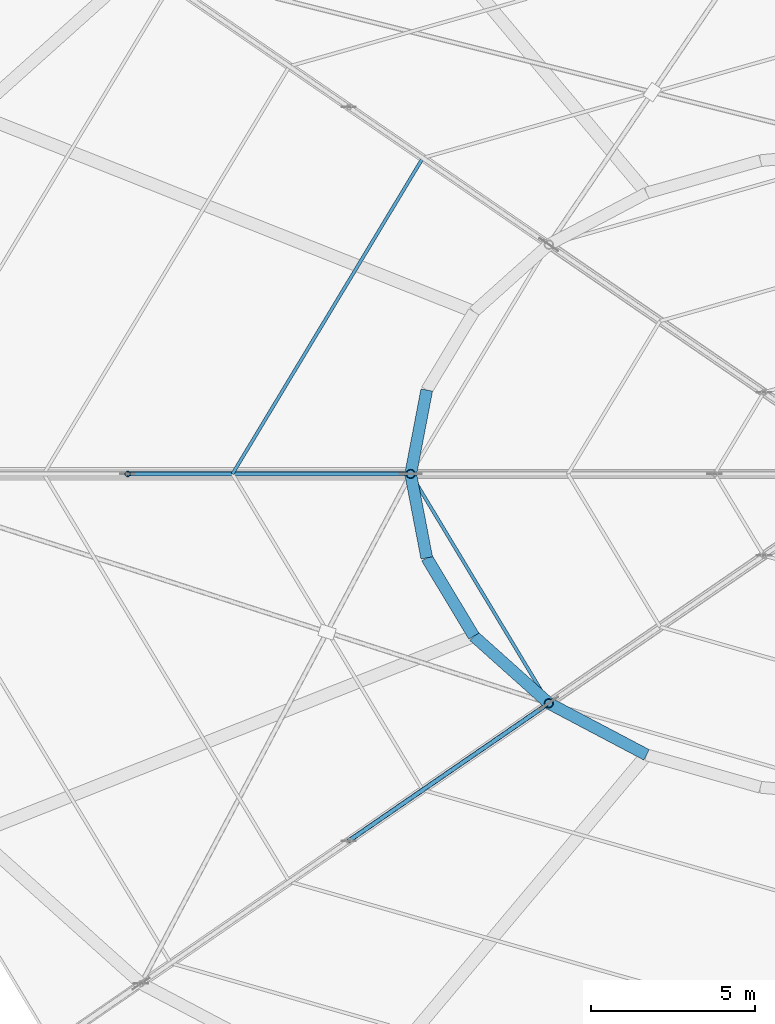
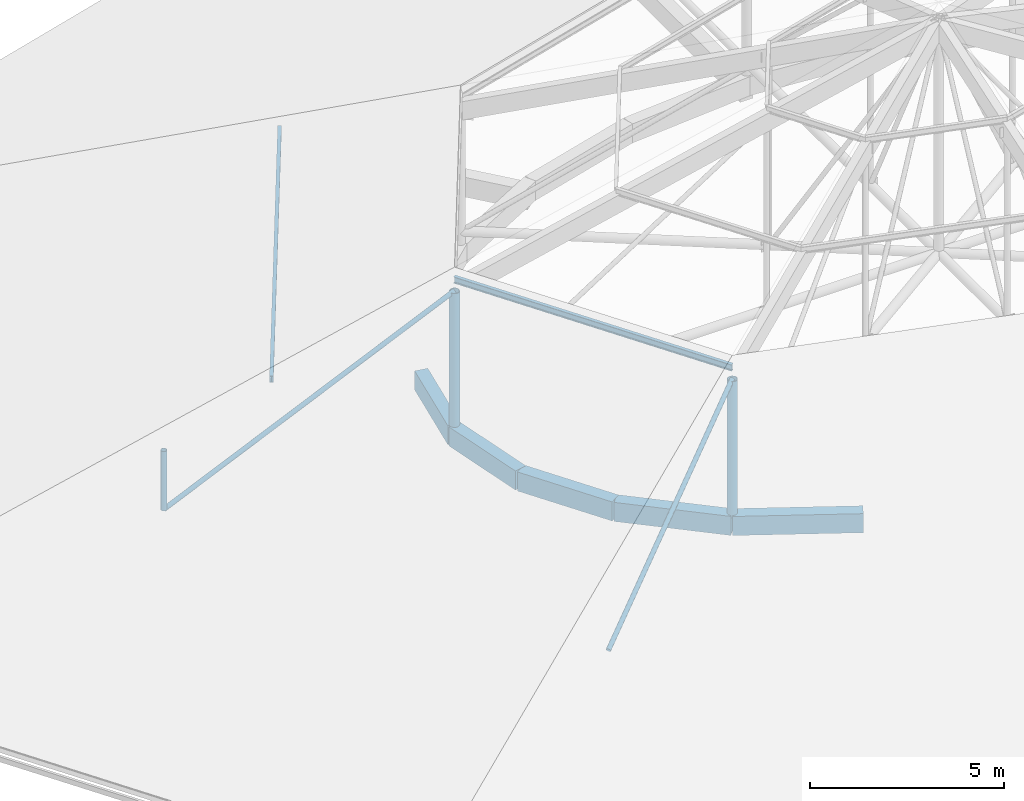
# One storey, part 22 of 66: 7 members, 5 beams.
"""IFC4 building model written with IfcOpenShell, lengths in metres."""

from ifc_helpers import new_model, si_unit, direction, frame, origin, origin_2d, place, context, subcontext, project, spatial, rectangle, hollow_circle, i_section, extrude, material, material_profile, profile_set, type_object, element, save


model = new_model("IFC4")

# Units and contexts
model_context = context("Model", 3, precision=1e-05, world=origin(), true_north=direction((0.0, 1.0)))
body_context = subcontext(model_context, "Body", "Model", "MODEL_VIEW")
ifc_project = project(units=[si_unit("LENGTHUNIT", "METRE"), si_unit("AREAUNIT", "SQUARE_METRE"), si_unit("VOLUMEUNIT", "CUBIC_METRE"), si_unit("PLANEANGLEUNIT", "RADIAN"), si_unit("MASSUNIT", "GRAM", prefix="KILO")], contexts=[model_context])

# Site, building, storey
site_placement = place(None, origin())
site = spatial("IfcSite", under=ifc_project, at=site_placement, CompositionType="ELEMENT")
building_placement = place(site_placement, origin())
building = spatial("IfcBuilding", under=site, at=building_placement, Name="Zornivar Specialist Clinic", CompositionType="ELEMENT")
storey_placement = place(building_placement, frame((0.0, 0.0, 16.0)))
storey = spatial("IfcBuildingStorey", under=building, at=storey_placement, Name="L04", CompositionType="ELEMENT", Elevation=16.0)

# Beams
ifc_material_1 = material(Name="Concrete C30/37", Category="concrete")
ifc_material_profile_1 = material_profile(ifc_material_1, rectangle(XDim=0.360107421875, YDim=0.60009765625, at=origin_2d()), Name="RC 360x600")
ifc_profile_set_1 = profile_set([ifc_material_profile_1], Name="Concrete C30/37")
beam_type = type_object("IfcBeamType", Name="BM-RC-360x600", PredefinedType="BEAM", material=ifc_profile_set_1)
for number, where, z_axis, x_axis, name in (
    (1, (79.69091796875, 60.162109375, -0.300048828125), (-0.188208648203, -0.982129067252, 0.0), (0.982129067252, -0.188208648203, 0.0), "bm:V1:L04:inring:11"),
    (2, (79.199951171875, 57.60009765625, -0.300048828125), (0.188208648203, -0.982129067252, 0.0), (0.982129067252, 0.188208648203, 0.0), "bm:V1:L04:inring:12"),
):
    element("IfcBeam", number, at=place(storey_placement, frame(where, z_axis=z_axis, x_axis=x_axis)), inside=storey, type_object=beam_type, Name=name, PredefinedType="BEAM", context=body_context, shape_type="SweptSolid", body=[
        extrude(rectangle(XDim=0.360107421875, YDim=0.60009765625, at=origin_2d()), origin(), (0.0, 0.0, 1.0), 2.608642578125),
    ])
beam_1_placement = place(storey_placement, frame((79.69091796875, 55.0380859375, -0.300048828125), z_axis=(0.515834556349, -0.856688222445, 0.0), x_axis=(0.856688222445, 0.515834556349, 0.0)))
element("IfcBeam", 3, at=beam_1_placement, inside=storey, type_object=beam_type, Name="bm:V1:L04:inring:13", PredefinedType="BEAM", context=body_context, shape_type="SweptSolid", body=[
    extrude(rectangle(XDim=0.360107421875, YDim=0.60009765625, at=origin_2d()), origin(), (0.0, 0.0, 1.0), 2.78759765625),
])
beam_2_placement = place(storey_placement, frame((81.12890625, 52.64990234375, -0.300048828125), z_axis=(0.744966948512, -0.667101375822, 0.0), x_axis=(0.667101375822, 0.744966948512, 0.0)))
element("IfcBeam", 4, at=beam_2_placement, inside=storey, type_object=beam_type, Name="bm:V1:L04:inring:14", PredefinedType="BEAM", context=body_context, shape_type="SweptSolid", body=[
    extrude(rectangle(XDim=0.360107421875, YDim=0.60009765625, at=origin_2d()), origin(), (0.0, 0.0, 1.0), 3.07275390625),
])
beam_3_placement = place(storey_placement, frame((83.41796875, 50.60009765625, -0.300048828125), z_axis=(0.884333274309, -0.466856144813, 0.0), x_axis=(0.466856144813, 0.884333274309, 0.0)))
element("IfcBeam", 5, at=beam_3_placement, inside=storey, type_object=beam_type, Name="bm:V1:L04:inring:15", PredefinedType="BEAM", context=body_context, shape_type="SweptSolid", body=[
    extrude(rectangle(XDim=0.360107421875, YDim=0.60009765625, at=origin_2d()), origin(), (0.0, 0.0, 1.0), 3.3720703125),
])

# Members
ifc_material_2 = material(Name="Steel S355J2", Category="steel")
ifc_material_profile_2 = material_profile(ifc_material_2, hollow_circle(Radius=0.136474609375, WallThickness=0.012451171875, at=origin_2d()), Name="CHS 273x12.5")
ifc_profile_set_2 = profile_set([ifc_material_profile_2], Name="Steel S355J2")
member_type_1 = type_object("IfcMemberType", Name="MEM-CHORD-CHS273", PredefinedType="CHORD", material=ifc_profile_set_2)
for number, where, z_axis, x_axis, name in (
    (6, (79.199951171875, 57.60009765625, -0.080078125), (0.0, 0.0, 1.0), (1.0, 0.0, 0.0), "mem:V1:L04:post:in:4"),
    (7, (83.41796875, 50.60009765625, -0.080078125), (0.0, 0.0, 1.0), (1.0, 0.0, 0.0), "mem:V1:L04:post:in:5"),
):
    element("IfcMember", number, at=place(storey_placement, frame(where, z_axis=z_axis, x_axis=x_axis)), inside=storey, type_object=member_type_1, Name=name, PredefinedType="CHORD", context=body_context, shape_type="SweptSolid", body=[
        extrude(hollow_circle(Radius=0.136474609375, WallThickness=0.012451171875, at=origin_2d()), origin(), (0.0, 0.0, 1.0), 4.2841796875),
    ])
ifc_material_3 = material(Name="Steel S355J2", Category="steel")
ifc_material_profile_3 = material_profile(ifc_material_3, hollow_circle(Radius=0.06982421875, WallThickness=0.008056640625, at=origin_2d()), Name="CHS 139.7x8")
ifc_profile_set_3 = profile_set([ifc_material_profile_3], Name="Steel S355J2")
member_type_2 = type_object("IfcMemberType", Name="MEM-DIAG-CHS140", PredefinedType="BRACE", material=ifc_profile_set_3)
member_1_placement = place(storey_placement, frame((70.56005859375, 57.60009765625, 0.360107421875), z_axis=(0.913652848142, 0.0, 0.406495354319), x_axis=(0.0, 1.0, 0.0)))
element("IfcMember", 8, at=member_1_placement, inside=storey, type_object=member_type_2, Name="mem:V1:L04:diag2:4", PredefinedType="BRACE", context=body_context, shape_type="SweptSolid", body=[
    extrude(hollow_circle(Radius=0.06982421875, WallThickness=0.008056640625, at=origin_2d()), origin(), (0.0, 0.0, 1.0), 9.45654296875),
])
member_2_placement = place(storey_placement, frame((77.30908203125, 46.39990234375, 0.360107421875), z_axis=(0.731530134113, 0.502967165985, 0.460312603374), x_axis=(-0.566559570534, 0.824020784347, 0.0)))
element("IfcMember", 9, at=member_2_placement, inside=storey, type_object=member_type_2, Name="mem:V1:L04:diag2:5", PredefinedType="BRACE", context=body_context, shape_type="SweptSolid", body=[
    extrude(hollow_circle(Radius=0.06982421875, WallThickness=0.008056640625, at=origin_2d()), origin(), (0.0, 0.0, 1.0), 8.350830078125),
])
ifc_material_4 = material(Name="Steel S355J2", Category="steel")
ifc_material_profile_4 = material_profile(ifc_material_4, i_section(OverallWidth=0.10009765625, OverallDepth=0.199951171875, WebThickness=0.005615234375, FlangeThickness=0.008544921875, FilletRadius=0.011962890625, at=origin_2d()), Name="IPE 200")
ifc_profile_set_4 = profile_set([ifc_material_profile_4], Name="Steel S355J2")
member_type_3 = type_object("IfcMemberType", Name="MEM-PURLIN-IPE200", PredefinedType="PURLIN", material=ifc_profile_set_4)
member_3_placement = place(storey_placement, frame((79.571044921875, 67.2451171875, 3.323974609375), z_axis=(-0.516063616444, -0.856550257593, 0.0), x_axis=(0.856550257593, -0.516063616444, 0.0)))
element("IfcMember", 10, at=member_3_placement, inside=storey, type_object=member_type_3, Name="mem:V1:L04:purl:3:03", PredefinedType="PURLIN", context=body_context, shape_type="SweptSolid", body=[
    extrude(i_section(OverallWidth=0.10009765625, OverallDepth=0.199951171875, WebThickness=0.005615234375, FlangeThickness=0.008544921875, FilletRadius=0.011962890625, at=origin_2d()), origin(), (0.0, 0.0, 1.0), 11.26025390625),
])
member_4_placement = place(storey_placement, frame((79.199951171875, 57.60009765625, 4.569091796875), z_axis=(0.516115885834, -0.856518763595, 0.0), x_axis=(0.856518763595, 0.516115885834, 0.0)))
element("IfcMember", 11, at=member_4_placement, inside=storey, type_object=member_type_3, Name="mem:V1:L04:purl:4:04", PredefinedType="PURLIN", context=body_context, shape_type="SweptSolid", body=[
    extrude(i_section(OverallWidth=0.10009765625, OverallDepth=0.199951171875, WebThickness=0.005615234375, FlangeThickness=0.008544921875, FilletRadius=0.011962890625, at=origin_2d()), origin(), (0.0, 0.0, 1.0), 8.172607421875),
])
ifc_material_5 = material(Name="Steel S355J2", Category="steel")
ifc_material_profile_5 = material_profile(ifc_material_5, hollow_circle(Radius=0.084228515625, WallThickness=0.010009765625, at=origin_2d()), Name="CHS 168.3x10")
ifc_profile_set_5 = profile_set([ifc_material_profile_5], Name="Steel S355J2")
member_type_4 = type_object("IfcMemberType", Name="MEM-STRUT-CHS168", PredefinedType="STRUT", material=ifc_profile_set_5)
member_5_placement = place(storey_placement, frame((70.56005859375, 57.60009765625, 0.360107421875), z_axis=(0.0, 0.0, 1.0), x_axis=(1.0, 0.0, 0.0)))
element("IfcMember", 12, at=member_5_placement, inside=storey, type_object=member_type_4, Name="mem:V1:L04:vert1:4", PredefinedType="STRUT", context=body_context, shape_type="SweptSolid", body=[
    extrude(hollow_circle(Radius=0.084228515625, WallThickness=0.010009765625, at=origin_2d()), origin(), (0.0, 0.0, 1.0), 1.866943359375),
])

save(model, "model.ifc")
